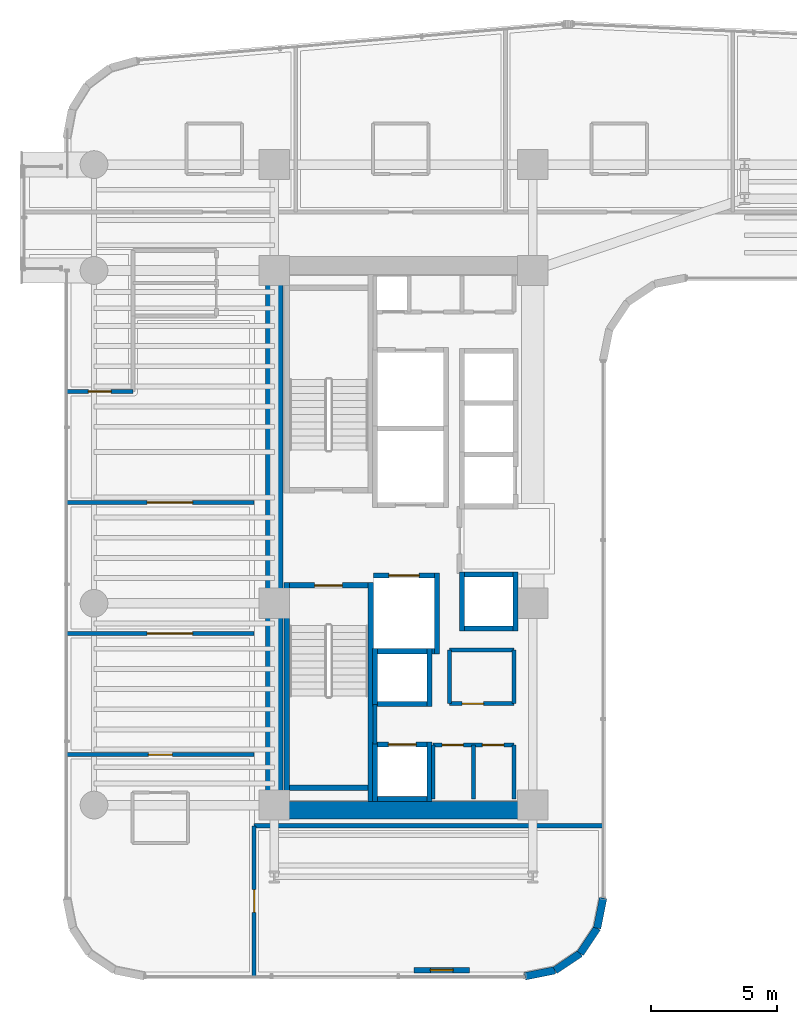
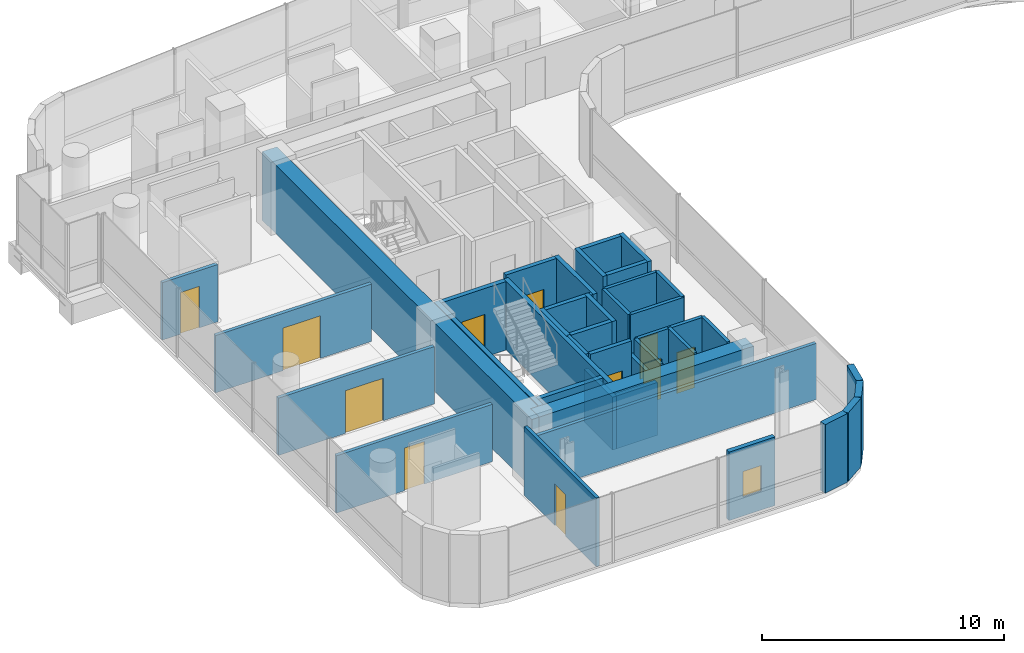
# One storey, part 27 of 35: 40 walls, 11 doors, 1 window, 12 openings.
"""IFC4 building model written with IfcOpenShell, lengths in metres."""

from ifc_helpers import new_model, si_unit, direction, frame, frame_2d, origin, place, context, subcontext, project, spatial, rectangle, extrude, material, layer, layer_set, type_object, element, fill, save


model = new_model("IFC4")

# Units and contexts
model_context = context("Model", 3, precision=1e-05, world=origin(), true_north=direction((0.0, 1.0)))
body_context = subcontext(model_context, "Body", "Model", "MODEL_VIEW")
ifc_project = project(units=[si_unit("LENGTHUNIT", "METRE"), si_unit("AREAUNIT", "SQUARE_METRE"), si_unit("VOLUMEUNIT", "CUBIC_METRE"), si_unit("PLANEANGLEUNIT", "RADIAN"), si_unit("MASSUNIT", "GRAM", prefix="KILO")], contexts=[model_context])

# Site, building, storey
site_placement = place(None, origin())
site = spatial("IfcSite", under=ifc_project, at=site_placement, CompositionType="ELEMENT")
building_placement = place(site_placement, origin())
building = spatial("IfcBuilding", under=site, at=building_placement, Name="Valdorenza Pilgrim Sanctuary Tower", CompositionType="ELEMENT")
storey_placement = place(building_placement, frame((0.0, 0.0, 116.800048828125)))
storey = spatial("IfcBuildingStorey", under=building, at=storey_placement, Name="L29", CompositionType="ELEMENT", Elevation=116.800048828125)

# Wall
ifc_material_1 = material(Name="Acoustic twin-stud gypsum partition", Category="gypsum")
ifc_layer_1 = layer(ifc_material_1, 0.159912109375, Name="Acoustic twin-stud gypsum partition")
ifc_layer_set_1 = layer_set([ifc_layer_1], Name="Acoustic twin-stud gypsum partition")
wall_type_1 = type_object("IfcWallType", Name="WAL-COR-160", PredefinedType="PARTITIONING", material=ifc_layer_set_1)
wall_1_placement = place(storey_placement, frame((-18.64990234375, -8.179931640625, 0.0), z_axis=(0.0, 0.0, 1.0), x_axis=(0.0, 1.0, 0.0)))
element("IfcWall", 1, at=wall_1_placement, inside=storey, type_object=wall_type_1, Name="L29 Core A South Lift Hall West Wall", PredefinedType="PARTITIONING", context=body_context, shape_type="SweptSolid", body=[
    extrude(rectangle(XDim=1.559814453125, YDim=0.159912109375, at=frame_2d((0.77978515625, 0.0))), origin(), (0.0, 0.0, 1.0), 3.4599609375),
])

# Wall, openings, doors
wall_2_placement = place(storey_placement, frame((-16.35009765625, -8.219970703125, 0.0), z_axis=(0.0, 0.0, 1.0), x_axis=(1.0, 0.0, 0.0)))
wall_2 = element("IfcWall", 2, at=wall_2_placement, inside=storey, type_object=wall_type_1, Name="L29 Freed Shaft 1 North Wall", PredefinedType="PARTITIONING", context=body_context, shape_type="SweptSolid", body=[
    extrude(rectangle(XDim=3.2001953125, YDim=0.159912109375, at=frame_2d((1.60009765625, 0.0))), origin(), (0.0, 0.0, 1.0), 3.4599609375),
])
opening_1_placement = place(wall_2_placement, frame((0.35009765625, 0.0, 0.0)))
opening_1 = element("IfcOpeningElement", 3, at=opening_1_placement, cuts=wall_2, Name="Opening DR-RS1", PredefinedType="OPENING", context=body_context, shape_type="SweptSolid", body=[
    extrude(rectangle(XDim=0.85009765625, YDim=2.050048828125, at=frame_2d((0.425048828125, 1.02490234375))), frame((0.0, 0.0947265625, 0.0), z_axis=(0.0, -1.0, 0.0), x_axis=(1.0, 0.0, 0.0)), (0.0, 0.0, 1.0), 0.189697265625),
])
opening_2_placement = place(wall_2_placement, frame((1.949951171875, 0.0, 0.0)))
opening_2 = element("IfcOpeningElement", 4, at=opening_2_placement, cuts=wall_2, Name="Opening DR-RS1", PredefinedType="OPENING", context=body_context, shape_type="SweptSolid", body=[
    extrude(rectangle(XDim=0.85009765625, YDim=2.050048828125, at=frame_2d((0.425048828125, 1.02490234375))), frame((0.0, 0.0947265625, 0.0), z_axis=(0.0, -1.0, 0.0), x_axis=(1.0, 0.0, 0.0)), (0.0, 0.0, 1.0), 0.189697265625),
])
ifc_material_2 = material(Name="Painted galvanized steel", Category="steel")
door_type_1 = type_object("IfcDoorType", Name="DR-RSR-850", OperationType="NOTDEFINED", PredefinedType="DOOR", material=ifc_material_2)
door_1_placement = place(opening_1_placement, origin())
door_1 = element("IfcDoor", 5, at=door_1_placement, inside=storey, type_object=door_type_1, Name="L29 Linen Store Door", OperationType="SINGLE_SWING_RIGHT", OverallHeight=2.050048828125, OverallWidth=0.85009765625, PredefinedType="DOOR", context=body_context, shape_type="SweptSolid", body=[
    extrude(rectangle(XDim=0.85009765625, YDim=2.050048828125, at=frame_2d((0.425048828125, 1.02490234375))), frame((0.0, 0.02490234375, 0.0), z_axis=(0.0, -1.0, 0.0), x_axis=(1.0, 0.0, 0.0)), (0.0, 0.0, 1.0), 0.050048828125),
])
fill(opening_1, door_1)
door_2_placement = place(opening_2_placement, origin())
door_2 = element("IfcDoor", 6, at=door_2_placement, inside=storey, type_object=door_type_1, Name="L29 Cot Store Door", OperationType="SINGLE_SWING_LEFT", OverallHeight=2.050048828125, OverallWidth=0.85009765625, PredefinedType="DOOR", context=body_context, shape_type="SweptSolid", body=[
    extrude(rectangle(XDim=0.85009765625, YDim=2.050048828125, at=frame_2d((0.425048828125, 1.02490234375))), frame((0.0, 0.02490234375, 0.0), z_axis=(0.0, -1.0, 0.0), x_axis=(1.0, 0.0, 0.0)), (0.0, 0.0, 1.0), 0.050048828125),
])
fill(opening_2, door_2)

# Walls
for number, where, z_axis, x_axis, name in (
    (7, (-13.14990234375, -10.35009765625, 0.0), (0.0, 0.0, 1.0), (0.0, 1.0, 0.0), "L29 Freed Shaft 1 East Wall"),
    (8, (-14.75, -10.35009765625, 0.0), (0.0, 0.0, 1.0), (0.0, 1.0, 0.0), "L29 Freed Shaft 1 Split Wall"),
):
    element("IfcWall", number, at=place(storey_placement, frame(where, z_axis=z_axis, x_axis=x_axis)), inside=storey, type_object=wall_type_1, Name=name, PredefinedType="PARTITIONING", context=body_context, shape_type="SweptSolid", body=[
        extrude(rectangle(XDim=2.130126953125, YDim=0.159912109375, at=frame_2d((1.06494140625, 0.0))), origin(), (0.0, 0.0, 1.0), 3.4599609375),
    ])

# Wall, opening, door
wall_3_placement = place(storey_placement, frame((-15.699951171875, -6.580078125, 0.0), z_axis=(0.0, 0.0, 1.0), x_axis=(1.0, 0.0, 0.0)))
wall_3 = element("IfcWall", 9, at=wall_3_placement, inside=storey, type_object=wall_type_1, Name="L29 Freed Shaft 2 South Wall", PredefinedType="PARTITIONING", context=body_context, shape_type="SweptSolid", body=[
    extrude(rectangle(XDim=2.550048828125, YDim=0.159912109375, at=frame_2d((1.27490234375, 0.0))), origin(), (0.0, 0.0, 1.0), 3.4599609375),
])
opening_3_placement = place(wall_3_placement, frame((0.5, 0.0, 0.0)))
opening_3 = element("IfcOpeningElement", 10, at=opening_3_placement, cuts=wall_3, Name="Opening DR-RS1", PredefinedType="OPENING", context=body_context, shape_type="SweptSolid", body=[
    extrude(rectangle(XDim=0.85009765625, YDim=2.050048828125, at=frame_2d((0.425048828125, 1.02490234375))), frame((0.0, 0.0947265625, 0.0), z_axis=(0.0, -1.0, 0.0), x_axis=(1.0, 0.0, 0.0)), (0.0, 0.0, 1.0), 0.189697265625),
])
door_3_placement = place(opening_3_placement, origin())
door_3 = element("IfcDoor", 11, at=door_3_placement, inside=storey, type_object=door_type_1, Name="L29 Guest Tea Pantry Door", OperationType="SINGLE_SWING_RIGHT", OverallHeight=2.050048828125, OverallWidth=0.85009765625, PredefinedType="DOOR", context=body_context, shape_type="SweptSolid", body=[
    extrude(rectangle(XDim=0.85009765625, YDim=2.050048828125, at=frame_2d((0.425048828125, 1.02490234375))), frame((0.0, 0.02490234375, 0.0), z_axis=(0.0, -1.0, 0.0), x_axis=(1.0, 0.0, 0.0)), (0.0, 0.0, 1.0), 0.050048828125),
])
fill(opening_3, door_3)

# Walls
wall_4_placement = place(storey_placement, frame((-13.14990234375, -6.580078125, 0.0), z_axis=(0.0, 0.0, 1.0), x_axis=(0.0, 1.0, 0.0)))
element("IfcWall", 12, at=wall_4_placement, inside=storey, type_object=wall_type_1, Name="L29 Freed Shaft 2 East Wall", PredefinedType="PARTITIONING", context=body_context, shape_type="SweptSolid", body=[
    extrude(rectangle(XDim=2.130126953125, YDim=0.159912109375, at=frame_2d((1.06494140625, 0.0))), origin(), (0.0, 0.0, 1.0), 3.4599609375),
])
wall_5_placement = place(storey_placement, frame((-23.449951171875, -11.419921875, 0.0), z_axis=(0.0, 0.0, 1.0), x_axis=(1.0, 0.0, 0.0)))
element("IfcWall", 13, at=wall_5_placement, inside=storey, type_object=wall_type_1, Name="L29 South-East Pocket North Wall", PredefinedType="PARTITIONING", context=body_context, shape_type="SweptSolid", body=[
    extrude(rectangle(XDim=13.83984375, YDim=0.159912109375, at=frame_2d((6.919921875, 0.0))), origin(), (0.0, 0.0, 1.0), 2.833984375),
])

# Wall, opening, door
wall_6_placement = place(storey_placement, frame((-23.449951171875, -17.389892578125, 0.0), z_axis=(0.0, 0.0, 1.0), x_axis=(0.0, 1.0, 0.0)))
wall_6 = element("IfcWall", 14, at=wall_6_placement, inside=storey, type_object=wall_type_1, Name="L29 South-East Pocket West Wall", PredefinedType="PARTITIONING", context=body_context, shape_type="SweptSolid", body=[
    extrude(rectangle(XDim=5.969970703125, YDim=0.159912109375, at=frame_2d((2.98486328125, 0.0))), origin(), (0.0, 0.0, 1.0), 3.4599609375),
])
opening_4_placement = place(wall_6_placement, frame((2.534912109375, 0.0, 0.0)))
opening_4 = element("IfcOpeningElement", 15, at=opening_4_placement, cuts=wall_6, Name="Opening DR-RM1", PredefinedType="OPENING", context=body_context, shape_type="SweptSolid", body=[
    extrude(rectangle(XDim=0.89990234375, YDim=2.10009765625, at=frame_2d((0.449951171875, 1.050048828125))), frame((0.0, 0.0947265625, 0.0), z_axis=(0.0, -1.0, 0.0), x_axis=(1.0, 0.0, 0.0)), (0.0, 0.0, 1.0), 0.189697265625),
])
ifc_material_3 = material(Name="Solid-core European oak timber", Category="wood")
door_type_2 = type_object("IfcDoorType", Name="DR-ROOM-900", OperationType="NOTDEFINED", PredefinedType="DOOR", material=ifc_material_3)
door_4_placement = place(opening_4_placement, origin())
door_4 = element("IfcDoor", 16, at=door_4_placement, inside=storey, type_object=door_type_2, Name="L29 South Panoramic Viewing Salon L29 Door", OperationType="SINGLE_SWING_RIGHT", OverallHeight=2.10009765625, OverallWidth=0.89990234375, PredefinedType="DOOR", context=body_context, shape_type="SweptSolid", body=[
    extrude(rectangle(XDim=0.89990234375, YDim=2.10009765625, at=frame_2d((0.449951171875, 1.050048828125))), frame((0.0, 0.02490234375, 0.0), z_axis=(0.0, -1.0, 0.0), x_axis=(1.0, 0.0, 0.0)), (0.0, 0.0, 1.0), 0.050048828125),
])
fill(opening_4, door_4)

wall_7_placement = place(storey_placement, frame((-30.889892578125, -8.60009765625, 0.0), z_axis=(0.0, 0.0, 1.0), x_axis=(1.0, 0.0, 0.0)))
wall_7 = element("IfcWall", 17, at=wall_7_placement, inside=storey, type_object=wall_type_1, Name="L29 Cloister South Room Wall", PredefinedType="PARTITIONING", context=body_context, shape_type="SweptSolid", body=[
    extrude(rectangle(XDim=7.43994140625, YDim=0.159912109375, at=frame_2d((3.719970703125, 0.0))), origin(), (0.0, 0.0, 1.0), 2.89599609375),
])
opening_5_placement = place(wall_7_placement, frame((3.2451171875, 0.0, 0.0)))
opening_5 = element("IfcOpeningElement", 18, at=opening_5_placement, cuts=wall_7, Name="Opening DR-UN1", PredefinedType="OPENING", context=body_context, shape_type="SweptSolid", body=[
    extrude(rectangle(XDim=0.949951171875, YDim=2.14990234375, at=frame_2d((0.47509765625, 1.074951171875))), frame((0.0, 0.0947265625, 0.0), z_axis=(0.0, -1.0, 0.0), x_axis=(1.0, 0.0, 0.0)), (0.0, 0.0, 1.0), 0.189697265625),
])
door_type_3 = type_object("IfcDoorType", Name="DR-UNIT-950", OperationType="NOTDEFINED", PredefinedType="DOOR", material=ifc_material_3)
door_5_placement = place(opening_5_placement, frame((0.949951171875, 0.0, 0.0), z_axis=(0.0, 0.0, 1.0), x_axis=(-1.0, 0.0, 0.0)))
door_5 = element("IfcDoor", 19, at=door_5_placement, inside=storey, type_object=door_type_3, Name="L29 Pilgrim Guest Room L29-CS1 Entrance Door", OperationType="SINGLE_SWING_LEFT", OverallHeight=2.14990234375, OverallWidth=0.949951171875, PredefinedType="DOOR", context=body_context, shape_type="SweptSolid", body=[
    extrude(rectangle(XDim=0.949951171875, YDim=2.14990234375, at=frame_2d((0.47509765625, 1.074951171875))), frame((0.0, 0.02490234375, 0.0), z_axis=(0.0, -1.0, 0.0), x_axis=(1.0, 0.0, 0.0)), (0.0, 0.0, 1.0), 0.050048828125),
])
fill(opening_5, door_5)

wall_8_placement = place(storey_placement, frame((-30.889892578125, 5.800048828125, 0.0), z_axis=(0.0, 0.0, 1.0), x_axis=(1.0, 0.0, 0.0)))
wall_8 = element("IfcWall", 20, at=wall_8_placement, inside=storey, type_object=wall_type_1, Name="L29 Cloister North Room Wall", PredefinedType="PARTITIONING", context=body_context, shape_type="SweptSolid", body=[
    extrude(rectangle(XDim=2.639892578125, YDim=0.159912109375, at=frame_2d((1.31982421875, 0.0))), origin(), (0.0, 0.0, 1.0), 2.89599609375),
])
opening_6_placement = place(wall_8_placement, frame((0.8701171875, 0.0, 0.0)))
opening_6 = element("IfcOpeningElement", 21, at=opening_6_placement, cuts=wall_8, Name="Opening DR-RM1", PredefinedType="OPENING", context=body_context, shape_type="SweptSolid", body=[
    extrude(rectangle(XDim=0.89990234375, YDim=2.10009765625, at=frame_2d((0.449951171875, 1.050048828125))), frame((0.0, 0.0947265625, 0.0), z_axis=(0.0, -1.0, 0.0), x_axis=(1.0, 0.0, 0.0)), (0.0, 0.0, 1.0), 0.189697265625),
])
door_6_placement = place(opening_6_placement, frame((0.89990234375, 0.0, 0.0), z_axis=(0.0, 0.0, 1.0), x_axis=(-1.0, 0.0, 0.0)))
door_6 = element("IfcDoor", 22, at=door_6_placement, inside=storey, type_object=door_type_2, Name="L29 Pastoral Scholar Office L29-CN1 Door", OperationType="SINGLE_SWING_LEFT", OverallHeight=2.10009765625, OverallWidth=0.89990234375, PredefinedType="DOOR", context=body_context, shape_type="SweptSolid", body=[
    extrude(rectangle(XDim=0.89990234375, YDim=2.10009765625, at=frame_2d((0.449951171875, 1.050048828125))), frame((0.0, 0.02490234375, 0.0), z_axis=(0.0, -1.0, 0.0), x_axis=(1.0, 0.0, 0.0)), (0.0, 0.0, 1.0), 0.050048828125),
])
fill(opening_6, door_6)

wall_9_placement = place(storey_placement, frame((-30.889892578125, -3.800048828125, 0.0), z_axis=(0.0, 0.0, 1.0), x_axis=(1.0, 0.0, 0.0)))
wall_9 = element("IfcWall", 23, at=wall_9_placement, inside=storey, type_object=wall_type_1, Name="L29 Cloister Mid Wall 1", PredefinedType="PARTITIONING", context=body_context, shape_type="SweptSolid", body=[
    extrude(rectangle(XDim=7.43994140625, YDim=0.159912109375, at=frame_2d((3.719970703125, 0.0))), origin(), (0.0, 0.0, 1.0), 2.89599609375),
])
opening_7_placement = place(wall_9_placement, frame((3.199951171875, 0.0, 0.0)))
opening_7 = element("IfcOpeningElement", 24, at=opening_7_placement, cuts=wall_9, Name="Opening DR-HL1", PredefinedType="OPENING", context=body_context, shape_type="SweptSolid", body=[
    extrude(rectangle(XDim=1.800048828125, YDim=2.14990234375, at=frame_2d((0.89990234375, 1.074951171875))), frame((0.0, 0.0947265625, 0.0), z_axis=(0.0, -1.0, 0.0), x_axis=(1.0, 0.0, 0.0)), (0.0, 0.0, 1.0), 0.189697265625),
])
ifc_material_4 = material(Name="Acoustic oak and vision-glass double door", Category="glass")
door_type_4 = type_object("IfcDoorType", Name="DR-HALL-1800", OperationType="NOTDEFINED", PredefinedType="DOOR", material=ifc_material_4)
door_7_placement = place(opening_7_placement, origin())
door_7 = element("IfcDoor", 25, at=door_7_placement, inside=storey, type_object=door_type_4, Name="L29 Cloister South-Mid Double Door", OperationType="DOUBLE_DOOR_SINGLE_SWING", OverallHeight=2.14990234375, OverallWidth=1.800048828125, PredefinedType="DOOR", context=body_context, shape_type="SweptSolid", body=[
    extrude(rectangle(XDim=1.800048828125, YDim=2.14990234375, at=frame_2d((0.89990234375, 1.074951171875))), frame((0.0, 0.02490234375, 0.0), z_axis=(0.0, -1.0, 0.0), x_axis=(1.0, 0.0, 0.0)), (0.0, 0.0, 1.0), 0.050048828125),
])
fill(opening_7, door_7)

wall_10_placement = place(storey_placement, frame((-30.889892578125, 1.39990234375, 0.0), z_axis=(0.0, 0.0, 1.0), x_axis=(1.0, 0.0, 0.0)))
wall_10 = element("IfcWall", 26, at=wall_10_placement, inside=storey, type_object=wall_type_1, Name="L29 Cloister Mid Wall 2", PredefinedType="PARTITIONING", context=body_context, shape_type="SweptSolid", body=[
    extrude(rectangle(XDim=7.43994140625, YDim=0.159912109375, at=frame_2d((3.719970703125, 0.0))), origin(), (0.0, 0.0, 1.0), 2.89599609375),
])
opening_8_placement = place(wall_10_placement, frame((3.199951171875, 0.0, 0.0)))
opening_8 = element("IfcOpeningElement", 27, at=opening_8_placement, cuts=wall_10, Name="Opening DR-HL1", PredefinedType="OPENING", context=body_context, shape_type="SweptSolid", body=[
    extrude(rectangle(XDim=1.800048828125, YDim=2.14990234375, at=frame_2d((0.89990234375, 1.074951171875))), frame((0.0, 0.0947265625, 0.0), z_axis=(0.0, -1.0, 0.0), x_axis=(1.0, 0.0, 0.0)), (0.0, 0.0, 1.0), 0.189697265625),
])
door_8_placement = place(opening_8_placement, frame((1.800048828125, 0.0, 0.0), z_axis=(0.0, 0.0, 1.0), x_axis=(-1.0, 0.0, 0.0)))
door_8 = element("IfcDoor", 28, at=door_8_placement, inside=storey, type_object=door_type_4, Name="L29 Cloister Mid-North Double Door", OperationType="DOUBLE_DOOR_SINGLE_SWING", OverallHeight=2.14990234375, OverallWidth=1.800048828125, PredefinedType="DOOR", context=body_context, shape_type="SweptSolid", body=[
    extrude(rectangle(XDim=1.800048828125, YDim=2.14990234375, at=frame_2d((0.89990234375, 1.074951171875))), frame((0.0, 0.02490234375, 0.0), z_axis=(0.0, -1.0, 0.0), x_axis=(1.0, 0.0, 0.0)), (0.0, 0.0, 1.0), 0.050048828125),
])
fill(opening_8, door_8)

# Walls
ifc_material_5 = material(Name="Concrete C60/75", Category="concrete")
ifc_layer_2 = layer(ifc_material_5, 0.699951171875, Name="Concrete C60/75")
ifc_layer_set_2 = layer_set([ifc_layer_2], Name="Concrete C60/75")
wall_type_2 = type_object("IfcWallType", Name="WAL-COR-700", PredefinedType="SHEAR", material=ifc_layer_set_2)
wall_11_placement = place(storey_placement, frame((-22.64990234375, -11.14990234375, 0.0), z_axis=(0.0, 0.0, 1.0), x_axis=(0.0, 1.0, 0.0)))
element("IfcWall", 29, at=wall_11_placement, inside=storey, type_object=wall_type_2, Name="L29 Split Core A Shear Wall W", PredefinedType="SHEAR", context=body_context, shape_type="SweptSolid", body=[
    extrude(rectangle(XDim=22.2998046875, YDim=0.699951171875, at=frame_2d((11.14990234375, 0.0))), origin(), (0.0, 0.0, 1.0), 3.4599609375),
])
wall_12_placement = place(storey_placement, frame((-22.64990234375, -10.800048828125, 0.0), z_axis=(0.0, 0.0, 1.0), x_axis=(1.0, 0.0, 0.0)))
element("IfcWall", 30, at=wall_12_placement, inside=storey, type_object=wall_type_2, Name="L29 Split Core A Shear Wall S", PredefinedType="SHEAR", context=body_context, shape_type="SweptSolid", body=[
    extrude(rectangle(XDim=10.25, YDim=0.699951171875, at=frame_2d((5.125, 0.0))), origin(), (0.0, 0.0, 1.0), 3.4599609375),
])
ifc_material_6 = material(Name="Honed travertine limestone", Category="masonry")
ifc_layer_3 = layer(ifc_material_6, 0.300048828125, Name="Honed travertine limestone")
ifc_layer_set_3 = layer_set([ifc_layer_3], Name="Honed travertine limestone")
wall_type_3 = type_object("IfcWallType", Name="WAL-EXT-300", PredefinedType="SOLIDWALL", material=ifc_layer_set_3)
wall_13_placement = place(storey_placement, frame((-9.610107421875, -14.289306640625, 0.0), z_axis=(0.0, 0.0, 1.0), x_axis=(-0.194996050505, -0.980804027463, 0.0)))
element("IfcWall", 31, at=wall_13_placement, inside=storey, type_object=wall_type_3, Name="L29 Rounded Wind-Corner Stone Pier 42", PredefinedType="SOLIDWALL", context=body_context, shape_type="SweptSolid", body=[
    extrude(rectangle(XDim=1.2158203125, YDim=0.300048828125, at=frame_2d((0.60791015625, 0.0))), origin(), (0.0, 0.0, 1.0), 3.4599609375),
])
for number, where, z_axis, x_axis, name in (
    (32, (-9.84716796875, -15.481689453125, 0.0), (0.0, 0.0, 1.0), (-0.555635100982, -0.831426265255, 0.0), "L29 Rounded Wind-Corner Stone Pier 43"),
    (33, (-10.5166015625, -16.4833984375, 0.0), (0.0, 0.0, 1.0), (-0.831426265255, -0.555635100982, 0.0), "L29 Rounded Wind-Corner Stone Pier 44"),
):
    element("IfcWall", number, at=place(storey_placement, frame(where, z_axis=z_axis, x_axis=x_axis)), inside=storey, type_object=wall_type_3, Name=name, PredefinedType="SOLIDWALL", context=body_context, shape_type="SweptSolid", body=[
        extrude(rectangle(XDim=1.204833984375, YDim=0.300048828125, at=frame_2d((0.6025390625, 0.0))), origin(), (0.0, 0.0, 1.0), 3.4599609375),
    ])
wall_14_placement = place(storey_placement, frame((-11.518310546875, -17.15283203125, 0.0), z_axis=(0.0, 0.0, 1.0), x_axis=(-0.980804027463, -0.194996050505, 0.0)))
element("IfcWall", 34, at=wall_14_placement, inside=storey, type_object=wall_type_3, Name="L29 Rounded Wind-Corner Stone Pier 45", PredefinedType="SOLIDWALL", context=body_context, shape_type="SweptSolid", body=[
    extrude(rectangle(XDim=1.2158203125, YDim=0.300048828125, at=frame_2d((0.60791015625, 0.0))), origin(), (0.0, 0.0, 1.0), 3.4599609375),
])

# Wall, opening, window
wall_15_placement = place(storey_placement, frame((-14.910888671875, -17.14990234375, 0.0), z_axis=(0.0, 0.0, 1.0), x_axis=(-1.0, 0.0, 0.0)))
wall_15 = element("IfcWall", 35, at=wall_15_placement, inside=storey, type_object=wall_type_3, Name="L29 Operable Ventilation Sash Jamb Pier", PredefinedType="SOLIDWALL", context=body_context, shape_type="SweptSolid", body=[
    extrude(rectangle(XDim=2.199951171875, YDim=0.219970703125, at=frame_2d((1.10009765625, 0.0))), origin(), (0.0, 0.0, 1.0), 3.4599609375),
])
opening_9_placement = place(wall_15_placement, frame((0.64990234375, 0.0, 0.949951171875)))
opening_9 = element("IfcOpeningElement", 36, at=opening_9_placement, cuts=wall_15, Name="Opening WN-OP1", PredefinedType="OPENING", context=body_context, shape_type="SweptSolid", body=[
    extrude(rectangle(XDim=0.89990234375, YDim=1.300048828125, at=frame_2d((0.449951171875, 0.64990234375))), frame((0.0, 0.125, 0.0), z_axis=(0.0, -1.0, 0.0), x_axis=(1.0, 0.0, 0.0)), (0.0, 0.0, 1.0), 0.249755859375),
])
ifc_material_7 = material(Name="Ceramic-fritted low-E IGU glazing", Category="glass")
window_type = type_object("IfcWindowType", Name="WIN-OPN-900", PartitioningType="SINGLE_PANEL", PredefinedType="WINDOW", material=ifc_material_7)
window_placement = place(opening_9_placement, origin())
window = element("IfcWindow", 37, at=window_placement, inside=storey, type_object=window_type, Name="L29 Parallel-Pop-Out Operable Facade Panel", OverallHeight=1.300048828125, OverallWidth=0.89990234375, PartitioningType="SINGLE_PANEL", PredefinedType="WINDOW", context=body_context, shape_type="SweptSolid", body=[
    extrude(rectangle(XDim=0.89990234375, YDim=1.300048828125, at=frame_2d((0.449951171875, 0.64990234375))), frame((0.0, 0.030029296875, 0.0), z_axis=(0.0, -1.0, 0.0), x_axis=(1.0, 0.0, 0.0)), (0.0, 0.0, 1.0), 0.06005859375),
])
fill(opening_9, window)

# Walls
ifc_material_8 = material(Name="Autoclaved aerated concrete blockwork", Category="masonry")
ifc_layer_4 = layer(ifc_material_8, 0.199951171875, Name="Autoclaved aerated concrete blockwork")
ifc_layer_set_4 = layer_set([ifc_layer_4], Name="Autoclaved aerated concrete blockwork")
wall_type_4 = type_object("IfcWallType", Name="WAL-SHF-200", PredefinedType="MOVABLE", material=ifc_layer_set_4)
wall_16_placement = place(storey_placement, frame((-16.199951171875, -4.60009765625, 0.0), z_axis=(0.0, 0.0, 1.0), x_axis=(0.0, 1.0, 0.0)))
element("IfcWall", 38, at=wall_16_placement, inside=storey, type_object=wall_type_4, Name="L29 Lift FFL-02 Hoistway Wall East", PredefinedType="MOVABLE", context=body_context, shape_type="SweptSolid", body=[
    extrude(rectangle(XDim=3.2001953125, YDim=0.199951171875, at=frame_2d((1.60009765625, 0.0))), origin(), (0.0, 0.0, 1.0), 3.4599609375),
])
wall_17_placement = place(storey_placement, frame((-18.719970703125, -4.5, 0.0), z_axis=(0.0, 0.0, 1.0), x_axis=(1.0, 0.0, 0.0)))
element("IfcWall", 39, at=wall_17_placement, inside=storey, type_object=wall_type_4, Name="L29 Lift FFL-02 Hoistway Wall South", PredefinedType="MOVABLE", context=body_context, shape_type="SweptSolid", body=[
    extrude(rectangle(XDim=2.419921875, YDim=0.199951171875, at=frame_2d((1.2099609375, 0.0))), origin(), (0.0, 0.0, 1.0), 3.4599609375),
])

# Wall, opening, door
wall_18_placement = place(storey_placement, frame((-18.719970703125, -1.5, 0.0), z_axis=(0.0, 0.0, 1.0), x_axis=(1.0, 0.0, 0.0)))
wall_18 = element("IfcWall", 40, at=wall_18_placement, inside=storey, type_object=wall_type_4, Name="L29 Lift FFL-02 Hoistway Wall North", PredefinedType="MOVABLE", context=body_context, shape_type="SweptSolid", body=[
    extrude(rectangle(XDim=2.419921875, YDim=0.199951171875, at=frame_2d((1.2099609375, 0.0))), origin(), (0.0, 0.0, 1.0), 3.4599609375),
])
opening_10_placement = place(wall_18_placement, frame((0.610107421875, 0.0, 0.0)))
opening_10 = element("IfcOpeningElement", 41, at=opening_10_placement, cuts=wall_18, Name="Opening LD-02", PredefinedType="OPENING", context=body_context, shape_type="SweptSolid", body=[
    extrude(rectangle(XDim=1.199951171875, YDim=2.10009765625, at=frame_2d((0.60009765625, 1.050048828125))), frame((0.0, 0.11474609375, 0.0), z_axis=(0.0, -1.0, 0.0), x_axis=(1.0, 0.0, 0.0)), (0.0, 0.0, 1.0), 0.229736328125),
])
ifc_material_9 = material(Name="Brushed stainless steel Grade 316", Category="steel")
door_type_5 = type_object("IfcDoorType", Name="DR-LFT-1200", OperationType="DOUBLE_DOOR_SLIDING", PredefinedType="DOOR", material=ifc_material_9)
door_9_placement = place(opening_10_placement, origin())
door_9 = element("IfcDoor", 42, at=door_9_placement, inside=storey, type_object=door_type_5, Name="L29 Lift FFL-02 Sliding Landing Door", OperationType="DOUBLE_DOOR_SLIDING", OverallHeight=2.10009765625, OverallWidth=1.199951171875, PredefinedType="DOOR", context=body_context, shape_type="SweptSolid", body=[
    extrude(rectangle(XDim=1.199951171875, YDim=2.10009765625, at=frame_2d((0.60009765625, 1.050048828125))), frame((0.0, 0.02490234375, 0.0), z_axis=(0.0, -1.0, 0.0), x_axis=(1.0, 0.0, 0.0)), (0.0, 0.0, 1.0), 0.050048828125),
])
fill(opening_10, door_9)

# Walls
for number, where, z_axis, x_axis, name in (
    (43, (-18.64990234375, -10.449951171875, 0.0), (0.0, 0.0, 1.0), (0.0, 1.0, 0.0), "L29 Lift PL-05 Hoistway Wall West"),
    (44, (-16.5, -10.449951171875, 0.0), (0.0, 0.0, 1.0), (0.0, 1.0, 0.0), "L29 Lift PL-05 Hoistway Wall East"),
):
    element("IfcWall", number, at=place(storey_placement, frame(where, z_axis=z_axis, x_axis=x_axis)), inside=storey, type_object=wall_type_4, Name=name, PredefinedType="MOVABLE", context=body_context, shape_type="SweptSolid", body=[
        extrude(rectangle(XDim=2.349853515625, YDim=0.199951171875, at=frame_2d((1.1748046875, 0.0))), origin(), (0.0, 0.0, 1.0), 2.666015625),
    ])
wall_19_placement = place(storey_placement, frame((-18.550048828125, -10.35009765625, 0.0), z_axis=(0.0, 0.0, 1.0), x_axis=(1.0, 0.0, 0.0)))
element("IfcWall", 45, at=wall_19_placement, inside=storey, type_object=wall_type_4, Name="L29 Lift PL-05 Hoistway Wall South", PredefinedType="MOVABLE", context=body_context, shape_type="SweptSolid", body=[
    extrude(rectangle(XDim=1.949951171875, YDim=0.199951171875, at=frame_2d((0.97509765625, 0.0))), origin(), (0.0, 0.0, 1.0), 2.666015625),
])

# Wall, opening, door
wall_20_placement = place(storey_placement, frame((-18.550048828125, -8.199951171875, 0.0), z_axis=(0.0, 0.0, 1.0), x_axis=(1.0, 0.0, 0.0)))
wall_20 = element("IfcWall", 46, at=wall_20_placement, inside=storey, type_object=wall_type_4, Name="L29 Lift PL-05 Hoistway Wall North", PredefinedType="MOVABLE", context=body_context, shape_type="SweptSolid", body=[
    extrude(rectangle(XDim=1.949951171875, YDim=0.199951171875, at=frame_2d((0.97509765625, 0.0))), origin(), (0.0, 0.0, 1.0), 3.4599609375),
])
opening_11_placement = place(wall_20_placement, frame((0.425048828125, 0.0, 0.0)))
opening_11 = element("IfcOpeningElement", 47, at=opening_11_placement, cuts=wall_20, Name="Opening LD-01", PredefinedType="OPENING", context=body_context, shape_type="SweptSolid", body=[
    extrude(rectangle(XDim=1.10009765625, YDim=2.10009765625, at=frame_2d((0.550048828125, 1.050048828125))), frame((0.0, 0.11474609375, 0.0), z_axis=(0.0, -1.0, 0.0), x_axis=(1.0, 0.0, 0.0)), (0.0, 0.0, 1.0), 0.229736328125),
])
door_type_6 = type_object("IfcDoorType", Name="DR-LFT-1100", OperationType="DOUBLE_DOOR_SLIDING", PredefinedType="DOOR", material=ifc_material_9)
door_10_placement = place(opening_11_placement, origin())
door_10 = element("IfcDoor", 48, at=door_10_placement, inside=storey, type_object=door_type_6, Name="L29 Lift PL-05 Sliding Landing Door", OperationType="DOUBLE_DOOR_SLIDING", OverallHeight=2.10009765625, OverallWidth=1.10009765625, PredefinedType="DOOR", context=body_context, shape_type="SweptSolid", body=[
    extrude(rectangle(XDim=1.10009765625, YDim=2.10009765625, at=frame_2d((0.550048828125, 1.050048828125))), frame((0.0, 0.02490234375, 0.0), z_axis=(0.0, -1.0, 0.0), x_axis=(1.0, 0.0, 0.0)), (0.0, 0.0, 1.0), 0.050048828125),
])
fill(opening_11, door_10)

# Walls
for number, where, z_axis, x_axis, name in (
    (49, (-18.64990234375, -6.699951171875, 0.0), (0.0, 0.0, 1.0), (0.0, 1.0, 0.0), "L29 Lift PL-11 Hoistway Wall West"),
    (50, (-16.5, -6.699951171875, 0.0), (0.0, 0.0, 1.0), (0.0, 1.0, 0.0), "L29 Lift PL-11 Hoistway Wall East"),
):
    element("IfcWall", number, at=place(storey_placement, frame(where, z_axis=z_axis, x_axis=x_axis)), inside=storey, type_object=wall_type_4, Name=name, PredefinedType="MOVABLE", context=body_context, shape_type="SweptSolid", body=[
        extrude(rectangle(XDim=2.300048828125, YDim=0.199951171875, at=frame_2d((1.14990234375, 0.0))), origin(), (0.0, 0.0, 1.0), 3.4599609375),
    ])
wall_21_placement = place(storey_placement, frame((-18.550048828125, -6.60009765625, 0.0), z_axis=(0.0, 0.0, 1.0), x_axis=(1.0, 0.0, 0.0)))
element("IfcWall", 51, at=wall_21_placement, inside=storey, type_object=wall_type_4, Name="L29 Lift PL-11 Hoistway Wall South", PredefinedType="MOVABLE", context=body_context, shape_type="SweptSolid", body=[
    extrude(rectangle(XDim=1.949951171875, YDim=0.199951171875, at=frame_2d((0.97509765625, 0.0))), origin(), (0.0, 0.0, 1.0), 3.4599609375),
])
for number, where, z_axis, x_axis, name in (
    (52, (-15.199951171875, -3.699951171875, 0.0), (0.0, 0.0, 1.0), (0.0, 1.0, 0.0), "L29 Lift PL-12 Hoistway Wall West"),
    (53, (-13.080078125, -3.699951171875, 0.0), (0.0, 0.0, 1.0), (0.0, 1.0, 0.0), "L29 Lift PL-12 Hoistway Wall East"),
):
    element("IfcWall", number, at=place(storey_placement, frame(where, z_axis=z_axis, x_axis=x_axis)), inside=storey, type_object=wall_type_4, Name=name, PredefinedType="MOVABLE", context=body_context, shape_type="SweptSolid", body=[
        extrude(rectangle(XDim=2.349853515625, YDim=0.199951171875, at=frame_2d((1.1748046875, 0.0))), origin(), (0.0, 0.0, 1.0), 3.4599609375),
    ])
for number, where, z_axis, x_axis, name in (
    (54, (-15.10009765625, -3.60009765625, 0.0), (0.0, 0.0, 1.0), (1.0, 0.0, 0.0), "L29 Lift PL-12 Hoistway Wall South"),
    (55, (-15.10009765625, -1.449951171875, 0.0), (0.0, 0.0, 1.0), (1.0, 0.0, 0.0), "L29 Lift PL-12 Hoistway Wall North"),
):
    element("IfcWall", number, at=place(storey_placement, frame(where, z_axis=z_axis, x_axis=x_axis)), inside=storey, type_object=wall_type_4, Name=name, PredefinedType="MOVABLE", context=body_context, shape_type="SweptSolid", body=[
        extrude(rectangle(XDim=1.920166015625, YDim=0.199951171875, at=frame_2d((0.9599609375, 0.0))), origin(), (0.0, 0.0, 1.0), 3.4599609375),
    ])
ifc_material_10 = material(Name="Concrete C40/50", Category="concrete")
ifc_layer_5 = layer(ifc_material_10, 0.219970703125, Name="Concrete C40/50")
ifc_layer_set_5 = layer_set([ifc_layer_5], Name="Concrete C40/50")
wall_type_5 = type_object("IfcWallType", Name="WAL-STR-SHF-220", PredefinedType="SHEAR", material=ifc_layer_set_5)
for number, where, z_axis, x_axis, name in (
    (56, (-22.159912109375, -10.449951171875, 0.0), (0.0, 0.0, 1.0), (0.0, 1.0, 0.0), "L29 ST-A2 Structural Stairwell Wall W"),
    (57, (-18.830078125, -10.449951171875, 0.0), (0.0, 0.0, 1.0), (0.0, 1.0, 0.0), "L29 ST-A2 Structural Stairwell Wall E"),
):
    element("IfcWall", number, at=place(storey_placement, frame(where, z_axis=z_axis, x_axis=x_axis)), inside=storey, type_object=wall_type_5, Name=name, PredefinedType="SHEAR", context=body_context, shape_type="SweptSolid", body=[
        extrude(rectangle(XDim=8.669921875, YDim=0.219970703125, at=frame_2d((4.3349609375, 0.0))), origin(), (0.0, 0.0, 1.0), 3.4599609375),
    ])
wall_22_placement = place(storey_placement, frame((-22.050048828125, -9.909912109375, 0.0), z_axis=(0.0, 0.0, 1.0), x_axis=(1.0, 0.0, 0.0)))
element("IfcWall", 58, at=wall_22_placement, inside=storey, type_object=wall_type_5, Name="L29 ST-A2 Structural Stairwell Wall S", PredefinedType="SHEAR", context=body_context, shape_type="SweptSolid", body=[
    extrude(rectangle(XDim=3.110107421875, YDim=0.219970703125, at=frame_2d((1.55517578125, 0.0))), origin(), (0.0, 0.0, 1.0), 3.4599609375),
])

# Wall, opening, door
wall_23_placement = place(storey_placement, frame((-22.050048828125, -1.889892578125, 0.0), z_axis=(0.0, 0.0, 1.0), x_axis=(1.0, 0.0, 0.0)))
wall_23 = element("IfcWall", 59, at=wall_23_placement, inside=storey, type_object=wall_type_5, Name="L29 ST-A2 Structural Stairwell Wall N", PredefinedType="SHEAR", context=body_context, shape_type="SweptSolid", body=[
    extrude(rectangle(XDim=3.110107421875, YDim=0.219970703125, at=frame_2d((1.55517578125, 0.0))), origin(), (0.0, 0.0, 1.0), 3.4599609375),
])
opening_12_placement = place(wall_23_placement, frame((1.0, 0.0, 0.0)))
opening_12 = element("IfcOpeningElement", 60, at=opening_12_placement, cuts=wall_23, Name="Opening DR-ST1", PredefinedType="OPENING", context=body_context, shape_type="SweptSolid", body=[
    extrude(rectangle(XDim=1.10009765625, YDim=2.14990234375, at=frame_2d((0.550048828125, 1.074951171875))), frame((0.0, 0.125, 0.0), z_axis=(0.0, -1.0, 0.0), x_axis=(1.0, 0.0, 0.0)), (0.0, 0.0, 1.0), 0.249755859375),
])
door_type_7 = type_object("IfcDoorType", Name="DR-STAIR-1100", OperationType="NOTDEFINED", PredefinedType="DOOR", material=ifc_material_2)
door_11_placement = place(opening_12_placement, origin())
door_11 = element("IfcDoor", 61, at=door_11_placement, inside=storey, type_object=door_type_7, Name="L29 Exit Stair ST-A2 Door", OperationType="SINGLE_SWING_RIGHT", OverallHeight=2.14990234375, OverallWidth=1.10009765625, PredefinedType="DOOR", context=body_context, shape_type="SweptSolid", body=[
    extrude(rectangle(XDim=1.10009765625, YDim=2.14990234375, at=frame_2d((0.550048828125, 1.074951171875))), frame((0.0, 0.02490234375, 0.0), z_axis=(0.0, -1.0, 0.0), x_axis=(1.0, 0.0, 0.0)), (0.0, 0.0, 1.0), 0.050048828125),
])
fill(opening_12, door_11)

# Walls
ifc_layer_6 = layer(ifc_material_1, 0.14990234375, Name="Acoustic twin-stud gypsum partition")
ifc_layer_set_6 = layer_set([ifc_layer_6], Name="Acoustic twin-stud gypsum partition")
wall_type_6 = type_object("IfcWallType", Name="WAL-UNT-150", PredefinedType="PARTITIONING", material=ifc_layer_set_6)
for number, where, z_axis, x_axis, name in (
    (62, (-16.35009765625, -10.35009765625, 0.0), (0.0, 0.0, 1.0), (0.0, 1.0, 0.0), "L29 Freed Shaft 1 West Wall"),
    (63, (-15.699951171875, -6.580078125, 0.0), (0.0, 0.0, 1.0), (0.0, 1.0, 0.0), "L29 Freed Shaft 2 West Wall"),
):
    element("IfcWall", number, at=place(storey_placement, frame(where, z_axis=z_axis, x_axis=x_axis)), inside=storey, type_object=wall_type_6, Name=name, PredefinedType="PARTITIONING", context=body_context, shape_type="SweptSolid", body=[
        extrude(rectangle(XDim=2.130126953125, YDim=0.14990234375, at=frame_2d((1.06494140625, 0.0))), origin(), (0.0, 0.0, 1.0), 3.4599609375),
    ])
wall_24_placement = place(storey_placement, frame((-15.699951171875, -4.449951171875, 0.0), z_axis=(0.0, 0.0, 1.0), x_axis=(1.0, 0.0, 0.0)))
element("IfcWall", 64, at=wall_24_placement, inside=storey, type_object=wall_type_6, Name="L29 Freed Shaft 2 North Wall", PredefinedType="PARTITIONING", context=body_context, shape_type="SweptSolid", body=[
    extrude(rectangle(XDim=2.550048828125, YDim=0.14990234375, at=frame_2d((1.27490234375, 0.0))), origin(), (0.0, 0.0, 1.0), 3.4599609375),
])

save(model, "model.ifc")
